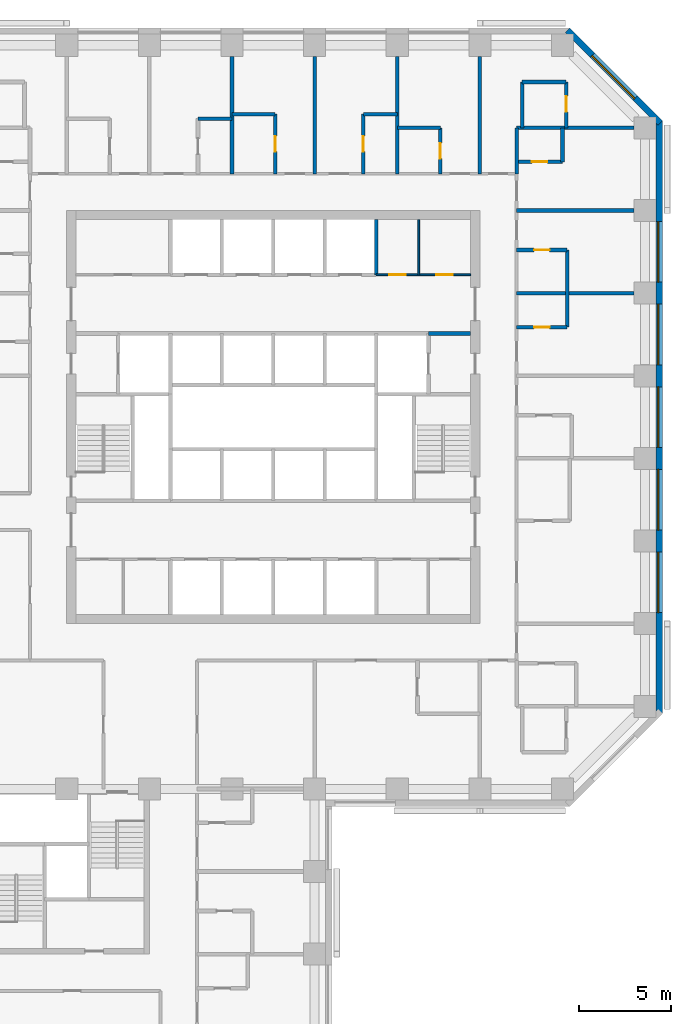
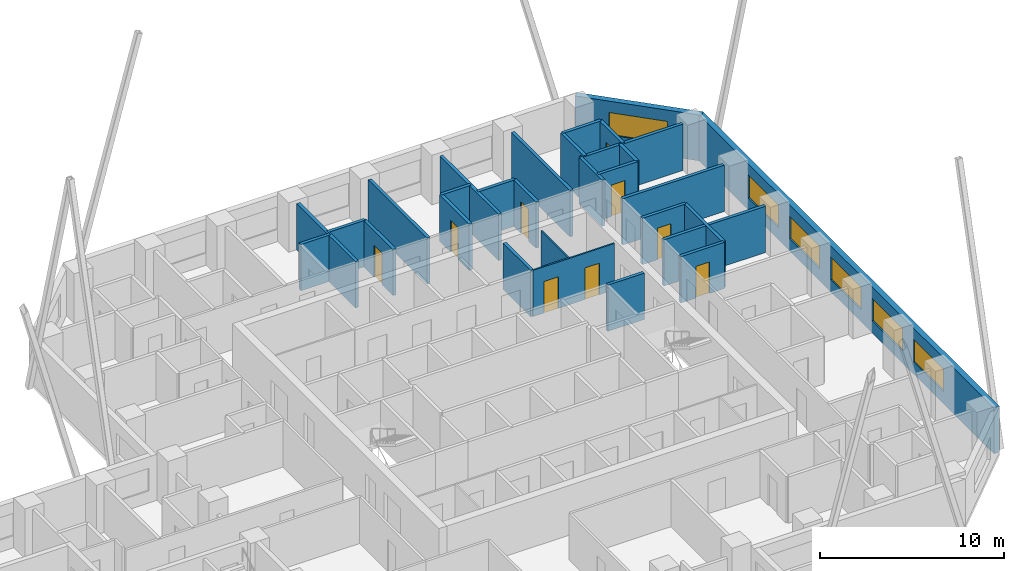
# One storey, part 11 of 14: 29 walls, 9 doors, 6 windows, 15 openings.
"""IFC4 building model written with IfcOpenShell, lengths in metres."""

from ifc_helpers import new_model, si_unit, direction, frame, frame_2d, origin, place, context, subcontext, project, spatial, rectangle, extrude, material, layer, layer_set, constituent, constituent_set, type_object, element, fill, save


model = new_model("IFC4")

# Units and contexts
model_context = context("Model", 3, precision=1e-05, world=origin(), true_north=direction((0.0, 1.0)))
body_context = subcontext(model_context, "Body", "Model", "MODEL_VIEW")
ifc_project = project(units=[si_unit("LENGTHUNIT", "METRE"), si_unit("AREAUNIT", "SQUARE_METRE"), si_unit("VOLUMEUNIT", "CUBIC_METRE"), si_unit("PLANEANGLEUNIT", "RADIAN"), si_unit("MASSUNIT", "GRAM", prefix="KILO")], contexts=[model_context])

# Site, building, storey
site_placement = place(None, origin())
site = spatial("IfcSite", under=ifc_project, at=site_placement, CompositionType="ELEMENT")
building_placement = place(site_placement, origin())
building = spatial("IfcBuilding", under=site, at=building_placement, Name="Quoin Convention Tower", CompositionType="ELEMENT")
storey_placement = place(building_placement, frame((0.0, 0.0, 66.0)))
storey = spatial("IfcBuildingStorey", under=building, at=storey_placement, Name="L17", CompositionType="ELEMENT", Elevation=66.0)

# Wall, openings, windows
ifc_material_1 = material(Name="Brick masonry", Category="masonry")
ifc_layer_1 = layer(ifc_material_1, 0.35009765625)
ifc_layer_set_1 = layer_set([ifc_layer_1], Name="Brick masonry")
wall_type_1 = type_object("IfcWallType", Name="Brick facade wall", PredefinedType="STANDARD", material=ifc_layer_set_1)
wall_1_placement = place(storey_placement, frame((77.27490234375, 44.6064453125, 0.0), z_axis=(0.0, 0.0, 1.0), x_axis=(0.0, 1.0, 0.0)))
wall_1 = element("IfcWall", 1, at=wall_1_placement, inside=storey, type_object=wall_type_1, Name="fw-L17-76500_45000", PredefinedType="STANDARD", context=body_context, shape_type="SweptSolid", body=[
    extrude(rectangle(XDim=32.287109375, YDim=0.35009765625, at=frame_2d((16.1435546875, 0.0))), origin(), (0.0, 0.0, 1.0), 3.054931640625),
])
opening_1_placement = place(wall_1_placement, frame((5.493408203125, 0.0, 0.800048828125)))
opening_1 = element("IfcOpeningElement", 2, at=opening_1_placement, cuts=wall_1, Name="Opening W-01", PredefinedType="OPENING", context=body_context, shape_type="SweptSolid", body=[
    extrude(rectangle(XDim=3.300048828125, YDim=1.5, at=frame_2d((1.64990234375, 0.75))), frame((0.0, 0.18505859375, 0.0), z_axis=(0.0, -1.0, 0.0), x_axis=(1.0, 0.0, 0.0)), (0.0, 0.0, 1.0), 0.3701171875),
])
opening_2_placement = place(wall_1_placement, frame((9.993408203125, 0.0, 0.800048828125)))
opening_2 = element("IfcOpeningElement", 3, at=opening_2_placement, cuts=wall_1, Name="Opening W-01", PredefinedType="OPENING", context=body_context, shape_type="SweptSolid", body=[
    extrude(rectangle(XDim=3.300048828125, YDim=1.5, at=frame_2d((1.64990234375, 0.75))), frame((0.0, 0.18505859375, 0.0), z_axis=(0.0, -1.0, 0.0), x_axis=(1.0, 0.0, 0.0)), (0.0, 0.0, 1.0), 0.3701171875),
])
opening_3_placement = place(wall_1_placement, frame((14.493408203125, 0.0, 0.800048828125)))
opening_3 = element("IfcOpeningElement", 4, at=opening_3_placement, cuts=wall_1, Name="Opening W-01", PredefinedType="OPENING", context=body_context, shape_type="SweptSolid", body=[
    extrude(rectangle(XDim=3.300048828125, YDim=1.5, at=frame_2d((1.64990234375, 0.75))), frame((0.0, 0.18505859375, 0.0), z_axis=(0.0, -1.0, 0.0), x_axis=(1.0, 0.0, 0.0)), (0.0, 0.0, 1.0), 0.3701171875),
])
opening_4_placement = place(wall_1_placement, frame((18.993408203125, 0.0, 0.800048828125)))
opening_4 = element("IfcOpeningElement", 5, at=opening_4_placement, cuts=wall_1, Name="Opening W-01", PredefinedType="OPENING", context=body_context, shape_type="SweptSolid", body=[
    extrude(rectangle(XDim=3.300048828125, YDim=1.5, at=frame_2d((1.64990234375, 0.75))), frame((0.0, 0.18505859375, 0.0), z_axis=(0.0, -1.0, 0.0), x_axis=(1.0, 0.0, 0.0)), (0.0, 0.0, 1.0), 0.3701171875),
])
opening_5_placement = place(wall_1_placement, frame((23.493408203125, 0.0, 0.800048828125)))
opening_5 = element("IfcOpeningElement", 6, at=opening_5_placement, cuts=wall_1, Name="Opening W-01", PredefinedType="OPENING", context=body_context, shape_type="SweptSolid", body=[
    extrude(rectangle(XDim=3.300048828125, YDim=1.5, at=frame_2d((1.64990234375, 0.75))), frame((0.0, 0.18505859375, 0.0), z_axis=(0.0, -1.0, 0.0), x_axis=(1.0, 0.0, 0.0)), (0.0, 0.0, 1.0), 0.3701171875),
])
ifc_material_2 = material(Name="Aluminium", Category="aluminium")
ifc_constituent_1 = constituent(ifc_material_2, Name="Frame")
ifc_material_3 = material(Name="Insulated glass", Category="glass")
ifc_constituent_2 = constituent(ifc_material_3, Name="Glazing")
ifc_constituent_set = constituent_set(constituents=[ifc_constituent_1, ifc_constituent_2], Name="Aluminium")
window_type = type_object("IfcWindowType", Name="Hotel strip window", PartitioningType="DOUBLE_PANEL_VERTICAL", PredefinedType="WINDOW", material=ifc_constituent_set)
window_1_placement = place(opening_1_placement, origin())
window_1 = element("IfcWindow", 7, at=window_1_placement, inside=storey, type_object=window_type, Name="win-L17-77275_51750", OverallHeight=1.5, OverallWidth=3.300048828125, PartitioningType="SINGLE_PANEL", PredefinedType="WINDOW", context=body_context, shape_type="SweptSolid", body=[
    extrude(rectangle(XDim=3.300048828125, YDim=1.5, at=frame_2d((1.64990234375, 0.75))), frame((0.0, 0.0849609375, 0.0), z_axis=(0.0, -1.0, 0.0), x_axis=(1.0, 0.0, 0.0)), (0.0, 0.0, 1.0), 0.06005859375),
])
fill(opening_1, window_1)
window_2_placement = place(opening_2_placement, origin())
window_2 = element("IfcWindow", 8, at=window_2_placement, inside=storey, type_object=window_type, Name="win-L17-77275_56250", OverallHeight=1.5, OverallWidth=3.300048828125, PartitioningType="SINGLE_PANEL", PredefinedType="WINDOW", context=body_context, shape_type="SweptSolid", body=[
    extrude(rectangle(XDim=3.300048828125, YDim=1.5, at=frame_2d((1.64990234375, 0.75))), frame((0.0, 0.0849609375, 0.0), z_axis=(0.0, -1.0, 0.0), x_axis=(1.0, 0.0, 0.0)), (0.0, 0.0, 1.0), 0.06005859375),
])
fill(opening_2, window_2)
window_3_placement = place(opening_3_placement, origin())
window_3 = element("IfcWindow", 9, at=window_3_placement, inside=storey, type_object=window_type, Name="win-L17-77275_60750", OverallHeight=1.5, OverallWidth=3.300048828125, PartitioningType="SINGLE_PANEL", PredefinedType="WINDOW", context=body_context, shape_type="SweptSolid", body=[
    extrude(rectangle(XDim=3.300048828125, YDim=1.5, at=frame_2d((1.64990234375, 0.75))), frame((0.0, 0.0849609375, 0.0), z_axis=(0.0, -1.0, 0.0), x_axis=(1.0, 0.0, 0.0)), (0.0, 0.0, 1.0), 0.06005859375),
])
fill(opening_3, window_3)
window_4_placement = place(opening_4_placement, origin())
window_4 = element("IfcWindow", 10, at=window_4_placement, inside=storey, type_object=window_type, Name="win-L17-77275_65250", OverallHeight=1.5, OverallWidth=3.300048828125, PartitioningType="SINGLE_PANEL", PredefinedType="WINDOW", context=body_context, shape_type="SweptSolid", body=[
    extrude(rectangle(XDim=3.300048828125, YDim=1.5, at=frame_2d((1.64990234375, 0.75))), frame((0.0, 0.0849609375, 0.0), z_axis=(0.0, -1.0, 0.0), x_axis=(1.0, 0.0, 0.0)), (0.0, 0.0, 1.0), 0.06005859375),
])
fill(opening_4, window_4)
window_5_placement = place(opening_5_placement, origin())
window_5 = element("IfcWindow", 11, at=window_5_placement, inside=storey, type_object=window_type, Name="win-L17-77275_69750", OverallHeight=1.5, OverallWidth=3.300048828125, PartitioningType="SINGLE_PANEL", PredefinedType="WINDOW", context=body_context, shape_type="SweptSolid", body=[
    extrude(rectangle(XDim=3.300048828125, YDim=1.5, at=frame_2d((1.64990234375, 0.75))), frame((0.0, 0.0849609375, 0.0), z_axis=(0.0, -1.0, 0.0), x_axis=(1.0, 0.0, 0.0)), (0.0, 0.0, 1.0), 0.06005859375),
])
fill(opening_5, window_5)

# Wall, opening, window
wall_2_placement = place(storey_placement, frame((77.326416015625, 76.769775390625, 0.0), z_axis=(0.0, 0.0, 1.0), x_axis=(-0.707106781187, 0.707106781187, 0.0)))
wall_2 = element("IfcWall", 12, at=wall_2_placement, inside=storey, type_object=wall_type_1, Name="fw-L17-76500_76500", PredefinedType="STANDARD", context=body_context, shape_type="SweptSolid", body=[
    extrude(rectangle(XDim=7.151123046875, YDim=0.35009765625, at=frame_2d((3.57568359375, 0.0))), origin(), (0.0, 0.0, 1.0), 3.054931640625),
])
opening_6_placement = place(wall_2_placement, frame((1.925537109375, 0.0, 0.800048828125)))
opening_6 = element("IfcOpeningElement", 13, at=opening_6_placement, cuts=wall_2, Name="Opening W-01", PredefinedType="OPENING", context=body_context, shape_type="SweptSolid", body=[
    extrude(rectangle(XDim=3.300048828125, YDim=1.5, at=frame_2d((1.64990234375, 0.75))), frame((0.0, 0.18505859375, 0.0), z_axis=(0.0, -1.0, 0.0), x_axis=(1.0, 0.0, 0.0)), (0.0, 0.0, 1.0), 0.3701171875),
])
window_6_placement = place(opening_6_placement, origin())
window_6 = element("IfcWindow", 14, at=window_6_placement, inside=storey, type_object=window_type, Name="win-L17-74798_79298", OverallHeight=1.5, OverallWidth=3.300048828125, PartitioningType="SINGLE_PANEL", PredefinedType="WINDOW", context=body_context, shape_type="SweptSolid", body=[
    extrude(rectangle(XDim=3.300048828125, YDim=1.5, at=frame_2d((1.64990234375, 0.75))), frame((0.0, 0.0849609375, 0.0), z_axis=(0.0, -1.0, 0.0), x_axis=(1.0, 0.0, 0.0)), (0.0, 0.0, 1.0), 0.06005859375),
])
fill(opening_6, window_6)

# Wall, openings, doors
ifc_material_4 = material(Name="Plasterboard")
ifc_layer_2 = layer(ifc_material_4, 0.012451171875, Name="Finish")
ifc_material_5 = material(Name="Steel stud framing", Category="steel")
ifc_layer_3 = layer(ifc_material_5, 0.074951171875, Name="Structure")
ifc_layer_4 = layer(ifc_material_4, 0.012451171875, Name="Finish")
ifc_layer_set_2 = layer_set([ifc_layer_2, ifc_layer_3, ifc_layer_4], Name="Steel stud framing")
wall_type_2 = type_object("IfcWallType", Name="Core partition wall", PredefinedType="PARTITIONING", material=ifc_layer_set_2)
wall_3_placement = place(storey_placement, frame((61.85009765625, 68.5, 0.0), z_axis=(0.0, 0.0, 1.0), x_axis=(1.0, 0.0, 0.0)))
wall_3 = element("IfcWall", 15, at=wall_3_placement, inside=storey, type_object=wall_type_2, Name="cr-C1-L17-h19000_16850", PredefinedType="PARTITIONING", context=body_context, shape_type="SweptSolid", body=[
    extrude(rectangle(XDim=5.14990234375, YDim=0.10009765625, at=frame_2d((2.574951171875, 0.0))), origin(), (0.0, 0.0, 1.0), 3.080078125),
])
opening_7_placement = place(wall_3_placement, frame((3.28369140625, 0.0, 0.0)))
opening_7 = element("IfcOpeningElement", 16, at=opening_7_placement, cuts=wall_3, Name="Opening DCV0-08", PredefinedType="OPENING", context=body_context, shape_type="SweptSolid", body=[
    extrude(rectangle(XDim=0.89990234375, YDim=2.10009765625, at=frame_2d((0.449951171875, 1.050048828125))), frame((0.0, 0.06005859375, 0.0), z_axis=(0.0, -1.0, 0.0), x_axis=(1.0, 0.0, 0.0)), (0.0, 0.0, 1.0), 0.1201171875),
])
opening_8_placement = place(wall_3_placement, frame((0.708740234375, 0.0, 0.0)))
opening_8 = element("IfcOpeningElement", 17, at=opening_8_placement, cuts=wall_3, Name="Opening DCV0-05", PredefinedType="OPENING", context=body_context, shape_type="SweptSolid", body=[
    extrude(rectangle(XDim=0.89990234375, YDim=2.10009765625, at=frame_2d((0.449951171875, 1.050048828125))), frame((0.0, 0.06005859375, 0.0), z_axis=(0.0, -1.0, 0.0), x_axis=(1.0, 0.0, 0.0)), (0.0, 0.0, 1.0), 0.1201171875),
])
ifc_material_6 = material(Name="Steel door leaf", Category="steel")
door_type_1 = type_object("IfcDoorType", Name="Core room door 900 x 2100", OperationType="SINGLE_SWING_LEFT", PredefinedType="DOOR", material=ifc_material_6)
door_1_placement = place(opening_7_placement, origin())
door_1 = element("IfcDoor", 18, at=door_1_placement, inside=storey, type_object=door_type_1, Name="cd-C1-L17-CNE0-lobB-CD1707", OperationType="SINGLE_SWING_RIGHT", OverallHeight=2.10009765625, OverallWidth=0.89990234375, PredefinedType="DOOR", context=body_context, shape_type="SweptSolid", body=[
    extrude(rectangle(XDim=0.89990234375, YDim=2.10009765625, at=frame_2d((0.449951171875, 1.050048828125))), frame((0.0, 0.02490234375, 0.0), z_axis=(0.0, -1.0, 0.0), x_axis=(1.0, 0.0, 0.0)), (0.0, 0.0, 1.0), 0.050048828125),
])
fill(opening_7, door_1)
door_2_placement = place(opening_8_placement, origin())
door_2 = element("IfcDoor", 19, at=door_2_placement, inside=storey, type_object=door_type_1, Name="cd-C1-L17-CNE1-lobB-CD1708", OperationType="SINGLE_SWING_LEFT", OverallHeight=2.10009765625, OverallWidth=0.89990234375, PredefinedType="DOOR", context=body_context, shape_type="SweptSolid", body=[
    extrude(rectangle(XDim=0.89990234375, YDim=2.10009765625, at=frame_2d((0.449951171875, 1.050048828125))), frame((0.0, 0.02490234375, 0.0), z_axis=(0.0, -1.0, 0.0), x_axis=(1.0, 0.0, 0.0)), (0.0, 0.0, 1.0), 0.050048828125),
])
fill(opening_8, door_2)

# Walls
wall_4_placement = place(storey_placement, frame((64.16748046875, 68.5, 0.0), z_axis=(0.0, 0.0, 1.0), x_axis=(0.0, 1.0, 0.0)))
element("IfcWall", 20, at=wall_4_placement, inside=storey, type_object=wall_type_2, Name="cr-C1-L17-v19168_19000", PredefinedType="PARTITIONING", context=body_context, shape_type="SweptSolid", body=[
    extrude(rectangle(XDim=3.0, YDim=0.10009765625, at=frame_2d((1.5, 0.0))), origin(), (0.0, 0.0, 1.0), 3.080078125),
])
ifc_material_7 = material(Name="Concrete C50", Category="concrete")
ifc_layer_5 = layer(ifc_material_7, 0.199951171875)
ifc_layer_set_3 = layer_set([ifc_layer_5], Name="Concrete C50")
wall_type_3 = type_object("IfcWallType", Name="Core shaft wall", PredefinedType="SOLIDWALL", material=ifc_layer_set_3)
wall_5_placement = place(storey_placement, frame((64.699951171875, 65.300048828125, 0.0), z_axis=(0.0, 0.0, 1.0), x_axis=(1.0, 0.0, 0.0)))
element("IfcWall", 21, at=wall_5_placement, inside=storey, type_object=wall_type_3, Name="cr-C1-L17-h15800_19700", PredefinedType="SOLIDWALL", context=body_context, shape_type="SweptSolid", body=[
    extrude(rectangle(XDim=2.300048828125, YDim=0.199951171875, at=frame_2d((1.14990234375, 0.0))), origin(), (0.0, 0.0, 1.0), 3.080078125),
])
wall_6_placement = place(storey_placement, frame((61.85009765625, 68.5, 0.0), z_axis=(0.0, 0.0, 1.0), x_axis=(0.0, 1.0, 0.0)))
element("IfcWall", 22, at=wall_6_placement, inside=storey, type_object=wall_type_3, Name="cr-C1-L17-v16850_19000", PredefinedType="SOLIDWALL", context=body_context, shape_type="SweptSolid", body=[
    extrude(rectangle(XDim=3.0, YDim=0.199951171875, at=frame_2d((1.5, 0.0))), origin(), (0.0, 0.0, 1.0), 3.080078125),
])

# Wall, opening, door
ifc_layer_6 = layer(ifc_material_7, 0.199951171875)
ifc_layer_set_4 = layer_set([ifc_layer_6], Name="Concrete C50")
wall_type_4 = type_object("IfcWallType", Name="RC party wall", PredefinedType="SOLIDWALL", material=ifc_layer_set_4)
wall_7_placement = place(storey_placement, frame((69.5, 65.64990234375, 0.0), z_axis=(0.0, 0.0, 1.0), x_axis=(1.0, 0.0, 0.0)))
wall_7 = element("IfcWall", 23, at=wall_7_placement, inside=storey, type_object=wall_type_4, Name="pw-L17-113", PredefinedType="SOLIDWALL", context=body_context, shape_type="SweptSolid", body=[
    extrude(rectangle(XDim=2.75, YDim=0.199951171875, at=frame_2d((1.375, 0.0))), origin(), (0.0, 0.0, 1.0), 3.080078125),
])
opening_9_placement = place(wall_7_placement, frame((0.949951171875, 0.0, 0.0)))
opening_9 = element("IfcOpeningElement", 24, at=opening_9_placement, cuts=wall_7, Name="Opening DHOTEL-G-66", PredefinedType="OPENING", context=body_context, shape_type="SweptSolid", body=[
    extrude(rectangle(XDim=0.85009765625, YDim=2.10009765625, at=frame_2d((0.425048828125, 1.050048828125))), frame((0.0, 0.10986328125, 0.0), z_axis=(0.0, -1.0, 0.0), x_axis=(1.0, 0.0, 0.0)), (0.0, 0.0, 1.0), 0.219970703125),
])
door_type_2 = type_object("IfcDoorType", Name="Bathroom door", OperationType="SINGLE_SWING_LEFT", PredefinedType="DOOR", material=ifc_material_6)
door_3_placement = place(opening_9_placement, frame((0.85009765625, 0.0, 0.0), z_axis=(0.0, 0.0, 1.0), x_axis=(-1.0, 0.0, 0.0)))
door_3 = element("IfcDoor", 25, at=door_3_placement, inside=storey, type_object=door_type_2, Name="dr-L17-056", OperationType="SINGLE_SWING_RIGHT", OverallHeight=2.10009765625, OverallWidth=0.85009765625, PredefinedType="DOOR", context=body_context, shape_type="SweptSolid", body=[
    extrude(rectangle(XDim=0.85009765625, YDim=2.10009765625, at=frame_2d((0.425048828125, 1.050048828125))), frame((0.0, 0.02490234375, 0.0), z_axis=(0.0, -1.0, 0.0), x_axis=(1.0, 0.0, 0.0)), (0.0, 0.0, 1.0), 0.050048828125),
])
fill(opening_9, door_3)

# Walls
wall_8_placement = place(storey_placement, frame((72.25, 65.64990234375, 0.0), z_axis=(0.0, 0.0, 1.0), x_axis=(0.0, 1.0, 0.0)))
element("IfcWall", 26, at=wall_8_placement, inside=storey, type_object=wall_type_4, Name="pw-L17-114", PredefinedType="SOLIDWALL", context=body_context, shape_type="SweptSolid", body=[
    extrude(rectangle(XDim=4.2001953125, YDim=0.199951171875, at=frame_2d((2.10009765625, 0.0))), origin(), (0.0, 0.0, 1.0), 3.080078125),
])
wall_9_placement = place(storey_placement, frame((69.5, 67.5, 0.0), z_axis=(0.0, 0.0, 1.0), x_axis=(1.0, 0.0, 0.0)))
element("IfcWall", 27, at=wall_9_placement, inside=storey, type_object=wall_type_4, Name="pw-L17-116", PredefinedType="SOLIDWALL", context=body_context, shape_type="SweptSolid", body=[
    extrude(rectangle(XDim=6.39990234375, YDim=0.199951171875, at=frame_2d((3.199951171875, 0.0))), origin(), (0.0, 0.0, 1.0), 3.080078125),
])

# Wall, opening, door
wall_10_placement = place(storey_placement, frame((69.5, 69.85009765625, 0.0), z_axis=(0.0, 0.0, 1.0), x_axis=(1.0, 0.0, 0.0)))
wall_10 = element("IfcWall", 28, at=wall_10_placement, inside=storey, type_object=wall_type_4, Name="pw-L17-119", PredefinedType="SOLIDWALL", context=body_context, shape_type="SweptSolid", body=[
    extrude(rectangle(XDim=2.75, YDim=0.199951171875, at=frame_2d((1.375, 0.0))), origin(), (0.0, 0.0, 1.0), 3.080078125),
])
opening_10_placement = place(wall_10_placement, frame((0.949951171875, 0.0, 0.0)))
opening_10 = element("IfcOpeningElement", 29, at=opening_10_placement, cuts=wall_10, Name="Opening DHOTEL-G-68", PredefinedType="OPENING", context=body_context, shape_type="SweptSolid", body=[
    extrude(rectangle(XDim=0.85009765625, YDim=2.10009765625, at=frame_2d((0.425048828125, 1.050048828125))), frame((0.0, 0.10986328125, 0.0), z_axis=(0.0, -1.0, 0.0), x_axis=(1.0, 0.0, 0.0)), (0.0, 0.0, 1.0), 0.219970703125),
])
door_4_placement = place(opening_10_placement, origin())
door_4 = element("IfcDoor", 30, at=door_4_placement, inside=storey, type_object=door_type_2, Name="dr-L17-054", OperationType="SINGLE_SWING_LEFT", OverallHeight=2.10009765625, OverallWidth=0.85009765625, PredefinedType="DOOR", context=body_context, shape_type="SweptSolid", body=[
    extrude(rectangle(XDim=0.85009765625, YDim=2.10009765625, at=frame_2d((0.425048828125, 1.050048828125))), frame((0.0, 0.02490234375, 0.0), z_axis=(0.0, -1.0, 0.0), x_axis=(1.0, 0.0, 0.0)), (0.0, 0.0, 1.0), 0.050048828125),
])
fill(opening_10, door_4)

# Walls
for number, where, z_axis, x_axis, name in (
    (31, (69.5, 72.0, 0.0), (0.0, 0.0, 1.0), (1.0, 0.0, 0.0), "pw-L17-121"),
    (32, (54.0, 74.0, 0.0), (0.0, 0.0, 1.0), (0.0, 1.0, 0.0), "pw-L17-127"),
):
    element("IfcWall", number, at=place(storey_placement, frame(where, z_axis=z_axis, x_axis=x_axis)), inside=storey, type_object=wall_type_4, Name=name, PredefinedType="SOLIDWALL", context=body_context, shape_type="SweptSolid", body=[
        extrude(rectangle(XDim=6.39990234375, YDim=0.199951171875, at=frame_2d((3.199951171875, 0.0))), origin(), (0.0, 0.0, 1.0), 3.080078125),
    ])

# Wall, opening, door
wall_11_placement = place(storey_placement, frame((56.35009765625, 74.0, 0.0), z_axis=(0.0, 0.0, 1.0), x_axis=(0.0, 1.0, 0.0)))
wall_11 = element("IfcWall", 33, at=wall_11_placement, inside=storey, type_object=wall_type_4, Name="pw-L17-128", PredefinedType="SOLIDWALL", context=body_context, shape_type="SweptSolid", body=[
    extrude(rectangle(XDim=3.25, YDim=0.199951171875, at=frame_2d((1.625, 0.0))), origin(), (0.0, 0.0, 1.0), 3.080078125),
])
opening_11_placement = place(wall_11_placement, frame((1.199951171875, 0.0, 0.0)))
opening_11 = element("IfcOpeningElement", 34, at=opening_11_placement, cuts=wall_11, Name="Opening DHOTEL-G-71", PredefinedType="OPENING", context=body_context, shape_type="SweptSolid", body=[
    extrude(rectangle(XDim=0.85009765625, YDim=2.10009765625, at=frame_2d((0.425048828125, 1.050048828125))), frame((0.0, 0.10986328125, 0.0), z_axis=(0.0, -1.0, 0.0), x_axis=(1.0, 0.0, 0.0)), (0.0, 0.0, 1.0), 0.219970703125),
])
door_5_placement = place(opening_11_placement, frame((0.85009765625, 0.0, 0.0), z_axis=(0.0, 0.0, 1.0), x_axis=(-1.0, 0.0, 0.0)))
door_5 = element("IfcDoor", 35, at=door_5_placement, inside=storey, type_object=door_type_2, Name="dr-L17-046", OperationType="SINGLE_SWING_RIGHT", OverallHeight=2.10009765625, OverallWidth=0.85009765625, PredefinedType="DOOR", context=body_context, shape_type="SweptSolid", body=[
    extrude(rectangle(XDim=0.85009765625, YDim=2.10009765625, at=frame_2d((0.425048828125, 1.050048828125))), frame((0.0, 0.02490234375, 0.0), z_axis=(0.0, -1.0, 0.0), x_axis=(1.0, 0.0, 0.0)), (0.0, 0.0, 1.0), 0.050048828125),
])
fill(opening_11, door_5)

# Wall
wall_12_placement = place(storey_placement, frame((58.5, 74.0, 0.0), z_axis=(0.0, 0.0, 1.0), x_axis=(0.0, 1.0, 0.0)))
element("IfcWall", 36, at=wall_12_placement, inside=storey, type_object=wall_type_4, Name="pw-L17-129", PredefinedType="SOLIDWALL", context=body_context, shape_type="SweptSolid", body=[
    extrude(rectangle(XDim=6.39990234375, YDim=0.199951171875, at=frame_2d((3.199951171875, 0.0))), origin(), (0.0, 0.0, 1.0), 3.080078125),
])

# Wall, opening, door
wall_13_placement = place(storey_placement, frame((61.14990234375, 74.0, 0.0), z_axis=(0.0, 0.0, 1.0), x_axis=(0.0, 1.0, 0.0)))
wall_13 = element("IfcWall", 37, at=wall_13_placement, inside=storey, type_object=wall_type_4, Name="pw-L17-130", PredefinedType="SOLIDWALL", context=body_context, shape_type="SweptSolid", body=[
    extrude(rectangle(XDim=3.25, YDim=0.199951171875, at=frame_2d((1.625, 0.0))), origin(), (0.0, 0.0, 1.0), 3.080078125),
])
opening_12_placement = place(wall_13_placement, frame((1.199951171875, 0.0, 0.0)))
opening_12 = element("IfcOpeningElement", 38, at=opening_12_placement, cuts=wall_13, Name="Opening DHOTEL-G-72", PredefinedType="OPENING", context=body_context, shape_type="SweptSolid", body=[
    extrude(rectangle(XDim=0.85009765625, YDim=2.10009765625, at=frame_2d((0.425048828125, 1.050048828125))), frame((0.0, 0.10986328125, 0.0), z_axis=(0.0, -1.0, 0.0), x_axis=(1.0, 0.0, 0.0)), (0.0, 0.0, 1.0), 0.219970703125),
])
door_6_placement = place(opening_12_placement, origin())
door_6 = element("IfcDoor", 39, at=door_6_placement, inside=storey, type_object=door_type_2, Name="dr-L17-048", OperationType="SINGLE_SWING_LEFT", OverallHeight=2.10009765625, OverallWidth=0.85009765625, PredefinedType="DOOR", context=body_context, shape_type="SweptSolid", body=[
    extrude(rectangle(XDim=0.85009765625, YDim=2.10009765625, at=frame_2d((0.425048828125, 1.050048828125))), frame((0.0, 0.02490234375, 0.0), z_axis=(0.0, -1.0, 0.0), x_axis=(1.0, 0.0, 0.0)), (0.0, 0.0, 1.0), 0.050048828125),
])
fill(opening_12, door_6)

# Wall
wall_14_placement = place(storey_placement, frame((63.0, 74.0, 0.0), z_axis=(0.0, 0.0, 1.0), x_axis=(0.0, 1.0, 0.0)))
element("IfcWall", 40, at=wall_14_placement, inside=storey, type_object=wall_type_4, Name="pw-L17-131", PredefinedType="SOLIDWALL", context=body_context, shape_type="SweptSolid", body=[
    extrude(rectangle(XDim=6.39990234375, YDim=0.199951171875, at=frame_2d((3.199951171875, 0.0))), origin(), (0.0, 0.0, 1.0), 3.080078125),
])

# Wall, opening, door
wall_15_placement = place(storey_placement, frame((65.35009765625, 74.0, 0.0), z_axis=(0.0, 0.0, 1.0), x_axis=(0.0, 1.0, 0.0)))
wall_15 = element("IfcWall", 41, at=wall_15_placement, inside=storey, type_object=wall_type_4, Name="pw-L17-132", PredefinedType="SOLIDWALL", context=body_context, shape_type="SweptSolid", body=[
    extrude(rectangle(XDim=2.5, YDim=0.199951171875, at=frame_2d((1.25, 0.0))), origin(), (0.0, 0.0, 1.0), 3.080078125),
])
opening_13_placement = place(wall_15_placement, frame((0.824951171875, 0.0, 0.0)))
opening_13 = element("IfcOpeningElement", 42, at=opening_13_placement, cuts=wall_15, Name="Opening DHOTEL-G-73", PredefinedType="OPENING", context=body_context, shape_type="SweptSolid", body=[
    extrude(rectangle(XDim=0.85009765625, YDim=2.10009765625, at=frame_2d((0.425048828125, 1.050048828125))), frame((0.0, 0.10986328125, 0.0), z_axis=(0.0, -1.0, 0.0), x_axis=(1.0, 0.0, 0.0)), (0.0, 0.0, 1.0), 0.219970703125),
])
door_7_placement = place(opening_13_placement, origin())
door_7 = element("IfcDoor", 43, at=door_7_placement, inside=storey, type_object=door_type_2, Name="dr-L17-050", OperationType="SINGLE_SWING_LEFT", OverallHeight=2.10009765625, OverallWidth=0.85009765625, PredefinedType="DOOR", context=body_context, shape_type="SweptSolid", body=[
    extrude(rectangle(XDim=0.85009765625, YDim=2.10009765625, at=frame_2d((0.425048828125, 1.050048828125))), frame((0.0, 0.02490234375, 0.0), z_axis=(0.0, -1.0, 0.0), x_axis=(1.0, 0.0, 0.0)), (0.0, 0.0, 1.0), 0.050048828125),
])
fill(opening_13, door_7)

# Walls
wall_16_placement = place(storey_placement, frame((67.5, 74.0, 0.0), z_axis=(0.0, 0.0, 1.0), x_axis=(0.0, 1.0, 0.0)))
element("IfcWall", 44, at=wall_16_placement, inside=storey, type_object=wall_type_4, Name="pw-L17-133", PredefinedType="SOLIDWALL", context=body_context, shape_type="SweptSolid", body=[
    extrude(rectangle(XDim=6.39990234375, YDim=0.199951171875, at=frame_2d((3.199951171875, 0.0))), origin(), (0.0, 0.0, 1.0), 3.080078125),
])
wall_17_placement = place(storey_placement, frame((69.5, 74.0, 0.0), z_axis=(0.0, 0.0, 1.0), x_axis=(0.0, 1.0, 0.0)))
element("IfcWall", 45, at=wall_17_placement, inside=storey, type_object=wall_type_4, Name="pw-L17-134", PredefinedType="SOLIDWALL", context=body_context, shape_type="SweptSolid", body=[
    extrude(rectangle(XDim=2.5, YDim=0.199951171875, at=frame_2d((1.25, 0.0))), origin(), (0.0, 0.0, 1.0), 3.080078125),
])

# Wall, opening, door
wall_18_placement = place(storey_placement, frame((69.5, 74.64990234375, 0.0), z_axis=(0.0, 0.0, 1.0), x_axis=(1.0, 0.0, 0.0)))
wall_18 = element("IfcWall", 46, at=wall_18_placement, inside=storey, type_object=wall_type_4, Name="pw-L17-137", PredefinedType="SOLIDWALL", context=body_context, shape_type="SweptSolid", body=[
    extrude(rectangle(XDim=2.5, YDim=0.199951171875, at=frame_2d((1.25, 0.0))), origin(), (0.0, 0.0, 1.0), 3.080078125),
])
opening_14_placement = place(wall_18_placement, frame((0.824951171875, 0.0, 0.0)))
opening_14 = element("IfcOpeningElement", 47, at=opening_14_placement, cuts=wall_18, Name="Opening DHOTEL-G-75", PredefinedType="OPENING", context=body_context, shape_type="SweptSolid", body=[
    extrude(rectangle(XDim=0.85009765625, YDim=2.10009765625, at=frame_2d((0.425048828125, 1.050048828125))), frame((0.0, 0.10986328125, 0.0), z_axis=(0.0, -1.0, 0.0), x_axis=(1.0, 0.0, 0.0)), (0.0, 0.0, 1.0), 0.219970703125),
])
door_8_placement = place(opening_14_placement, frame((0.85009765625, 0.0, 0.0), z_axis=(0.0, 0.0, 1.0), x_axis=(-1.0, 0.0, 0.0)))
door_8 = element("IfcDoor", 48, at=door_8_placement, inside=storey, type_object=door_type_2, Name="dr-L17-052", OperationType="SINGLE_SWING_RIGHT", OverallHeight=2.10009765625, OverallWidth=0.85009765625, PredefinedType="DOOR", context=body_context, shape_type="SweptSolid", body=[
    extrude(rectangle(XDim=0.85009765625, YDim=2.10009765625, at=frame_2d((0.425048828125, 1.050048828125))), frame((0.0, 0.02490234375, 0.0), z_axis=(0.0, -1.0, 0.0), x_axis=(1.0, 0.0, 0.0)), (0.0, 0.0, 1.0), 0.050048828125),
])
fill(opening_14, door_8)

# Walls
wall_19_placement = place(storey_placement, frame((72.0, 74.64990234375, 0.0), z_axis=(0.0, 0.0, 1.0), x_axis=(0.0, 1.0, 0.0)))
element("IfcWall", 49, at=wall_19_placement, inside=storey, type_object=wall_type_4, Name="pw-L17-138", PredefinedType="SOLIDWALL", context=body_context, shape_type="SweptSolid", body=[
    extrude(rectangle(XDim=1.85009765625, YDim=0.199951171875, at=frame_2d((0.925048828125, 0.0))), origin(), (0.0, 0.0, 1.0), 3.080078125),
])
wall_20_placement = place(storey_placement, frame((63.0, 76.5, 0.0), z_axis=(0.0, 0.0, 1.0), x_axis=(1.0, 0.0, 0.0)))
element("IfcWall", 50, at=wall_20_placement, inside=storey, type_object=wall_type_4, Name="pw-L17-142", PredefinedType="SOLIDWALL", context=body_context, shape_type="SweptSolid", body=[
    extrude(rectangle(XDim=2.35009765625, YDim=0.199951171875, at=frame_2d((1.175048828125, 0.0))), origin(), (0.0, 0.0, 1.0), 3.080078125),
])
wall_21_placement = place(storey_placement, frame((69.5, 76.5, 0.0), z_axis=(0.0, 0.0, 1.0), x_axis=(1.0, 0.0, 0.0)))
element("IfcWall", 51, at=wall_21_placement, inside=storey, type_object=wall_type_4, Name="pw-L17-143", PredefinedType="SOLIDWALL", context=body_context, shape_type="SweptSolid", body=[
    extrude(rectangle(XDim=6.39990234375, YDim=0.199951171875, at=frame_2d((3.199951171875, 0.0))), origin(), (0.0, 0.0, 1.0), 3.080078125),
])
wall_22_placement = place(storey_placement, frame((69.800048828125, 76.5, 0.0), z_axis=(0.0, 0.0, 1.0), x_axis=(0.0, 1.0, 0.0)))
element("IfcWall", 52, at=wall_22_placement, inside=storey, type_object=wall_type_4, Name="pw-L17-144", PredefinedType="SOLIDWALL", context=body_context, shape_type="SweptSolid", body=[
    extrude(rectangle(XDim=2.5, YDim=0.199951171875, at=frame_2d((1.25, 0.0))), origin(), (0.0, 0.0, 1.0), 3.080078125),
])

# Wall, opening, door
wall_23_placement = place(storey_placement, frame((72.199951171875, 76.5, 0.0), z_axis=(0.0, 0.0, 1.0), x_axis=(0.0, 1.0, 0.0)))
wall_23 = element("IfcWall", 53, at=wall_23_placement, inside=storey, type_object=wall_type_4, Name="pw-L17-145", PredefinedType="SOLIDWALL", context=body_context, shape_type="SweptSolid", body=[
    extrude(rectangle(XDim=2.5, YDim=0.199951171875, at=frame_2d((1.25, 0.0))), origin(), (0.0, 0.0, 1.0), 3.080078125),
])
opening_15_placement = place(wall_23_placement, frame((0.875, 0.0, 0.0)))
opening_15 = element("IfcOpeningElement", 54, at=opening_15_placement, cuts=wall_23, Name="Opening DHOTEL-G-77", PredefinedType="OPENING", context=body_context, shape_type="SweptSolid", body=[
    extrude(rectangle(XDim=0.85009765625, YDim=2.10009765625, at=frame_2d((0.425048828125, 1.050048828125))), frame((0.0, 0.10986328125, 0.0), z_axis=(0.0, -1.0, 0.0), x_axis=(1.0, 0.0, 0.0)), (0.0, 0.0, 1.0), 0.219970703125),
])
door_9_placement = place(opening_15_placement, frame((0.85009765625, 0.0, 0.0), z_axis=(0.0, 0.0, 1.0), x_axis=(-1.0, 0.0, 0.0)))
door_9 = element("IfcDoor", 55, at=door_9_placement, inside=storey, type_object=door_type_2, Name="dr-L17-074", OperationType="SINGLE_SWING_LEFT", OverallHeight=2.10009765625, OverallWidth=0.85009765625, PredefinedType="DOOR", context=body_context, shape_type="SweptSolid", body=[
    extrude(rectangle(XDim=0.85009765625, YDim=2.10009765625, at=frame_2d((0.425048828125, 1.050048828125))), frame((0.0, 0.02490234375, 0.0), z_axis=(0.0, -1.0, 0.0), x_axis=(1.0, 0.0, 0.0)), (0.0, 0.0, 1.0), 0.050048828125),
])
fill(opening_15, door_9)

# Walls
wall_24_placement = place(storey_placement, frame((52.14990234375, 77.0, 0.0), z_axis=(0.0, 0.0, 1.0), x_axis=(1.0, 0.0, 0.0)))
element("IfcWall", 56, at=wall_24_placement, inside=storey, type_object=wall_type_4, Name="pw-L17-147", PredefinedType="SOLIDWALL", context=body_context, shape_type="SweptSolid", body=[
    extrude(rectangle(XDim=1.85009765625, YDim=0.199951171875, at=frame_2d((0.925048828125, 0.0))), origin(), (0.0, 0.0, 1.0), 3.080078125),
])
wall_25_placement = place(storey_placement, frame((54.0, 77.25, 0.0), z_axis=(0.0, 0.0, 1.0), x_axis=(1.0, 0.0, 0.0)))
element("IfcWall", 57, at=wall_25_placement, inside=storey, type_object=wall_type_4, Name="pw-L17-148", PredefinedType="SOLIDWALL", context=body_context, shape_type="SweptSolid", body=[
    extrude(rectangle(XDim=2.35009765625, YDim=0.199951171875, at=frame_2d((1.175048828125, 0.0))), origin(), (0.0, 0.0, 1.0), 3.080078125),
])
wall_26_placement = place(storey_placement, frame((61.14990234375, 77.25, 0.0), z_axis=(0.0, 0.0, 1.0), x_axis=(1.0, 0.0, 0.0)))
element("IfcWall", 58, at=wall_26_placement, inside=storey, type_object=wall_type_4, Name="pw-L17-149", PredefinedType="SOLIDWALL", context=body_context, shape_type="SweptSolid", body=[
    extrude(rectangle(XDim=1.85009765625, YDim=0.199951171875, at=frame_2d((0.925048828125, 0.0))), origin(), (0.0, 0.0, 1.0), 3.080078125),
])
wall_27_placement = place(storey_placement, frame((69.800048828125, 79.0, 0.0), z_axis=(0.0, 0.0, 1.0), x_axis=(1.0, 0.0, 0.0)))
element("IfcWall", 59, at=wall_27_placement, inside=storey, type_object=wall_type_4, Name="pw-L17-151", PredefinedType="SOLIDWALL", context=body_context, shape_type="SweptSolid", body=[
    extrude(rectangle(XDim=2.39990234375, YDim=0.199951171875, at=frame_2d((1.199951171875, 0.0))), origin(), (0.0, 0.0, 1.0), 3.080078125),
])

save(model, "model.ifc")
